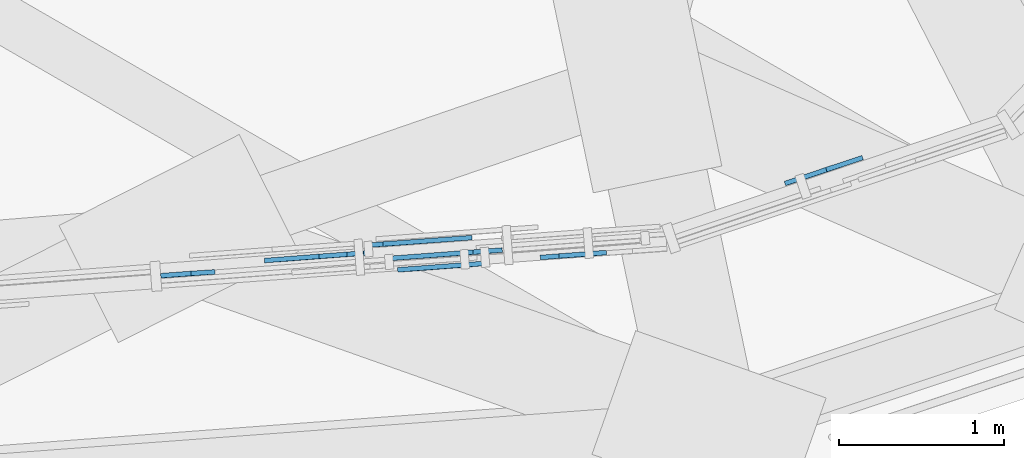
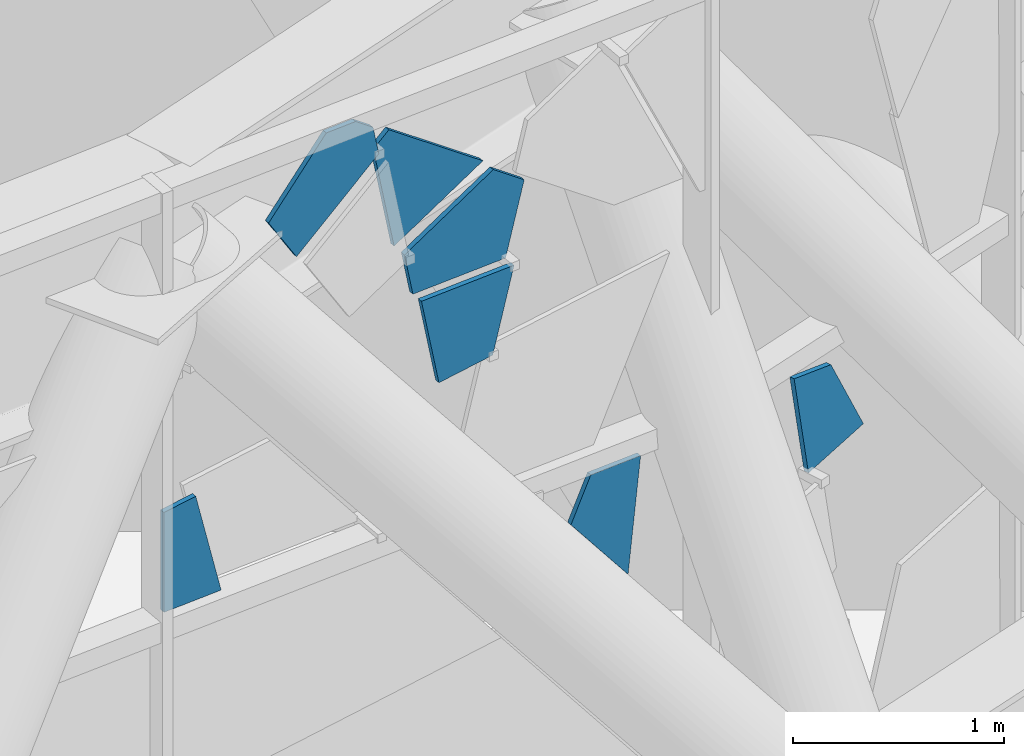
# One storey, part 23 of 43: 7 plates, 2 elements without a shape of their own.
"""IFC4 building model written with IfcOpenShell, lengths in metres."""

from ifc_helpers import new_model, si_unit, direction, frame, origin, place, context, subcontext, project, spatial, polyline, outline, extrude, material, layer, layer_set, type_object, element, aggregate, save


model = new_model("IFC4")

# Units and contexts
model_context = context("Model", 3, precision=1e-05, world=origin(), true_north=direction((0.0, 1.0)))
body_context = subcontext(model_context, "Body", "Model", "MODEL_VIEW")
ifc_project = project(units=[si_unit("LENGTHUNIT", "METRE"), si_unit("AREAUNIT", "SQUARE_METRE"), si_unit("VOLUMEUNIT", "CUBIC_METRE"), si_unit("PLANEANGLEUNIT", "RADIAN"), si_unit("MASSUNIT", "GRAM", prefix="KILO")], contexts=[model_context])

# Site, building, storey
site_placement = place(None, origin())
site = spatial("IfcSite", under=ifc_project, at=site_placement, CompositionType="ELEMENT")
building_placement = place(site_placement, origin())
building = spatial("IfcBuilding", under=site, at=building_placement, Name="Mestral Congress Tower", CompositionType="ELEMENT")
storey_placement = place(building_placement, frame((0.0, 0.0, 78.300048828125)))
storey = spatial("IfcBuildingStorey", under=building, at=storey_placement, Name="L18", CompositionType="ELEMENT", Elevation=78.300048828125)

# Curtain wall, plates
ifc_material_1 = material(Name="Clear low-emissivity double glazing", Category="glass")
curtain_wall_type = type_object("IfcCurtainWallType", Name="Facade refuge band screen", PredefinedType="USERDEFINED", material=ifc_material_1)
placement = place(storey_placement, origin())
curtain_wall_1 = element("IfcCurtainWall", 1, at=placement, inside=storey, type_object=curtain_wall_type, Name="Facade refuge band screen face 1", ObjectType="CURTAIN WALL", PredefinedType="USERDEFINED")
ifc_material_2 = material(Name="Anodised aluminium", Category="aluminium")
ifc_layer_1 = layer(ifc_material_2, 0.028076171875)
ifc_layer_set_1 = layer_set([ifc_layer_1], Name="Anodised aluminium")
plate_type_1 = type_object("IfcPlateType", Name="Facade refuge band screen brace cover panel", PredefinedType="CURTAIN_PANEL", material=ifc_layer_set_1)
plate_1_placement = place(storey_placement, frame((27.416748046875, -20.760986328125, 3.93798828125), z_axis=(0.073921337113, -0.997261110414, 0.002431784533), x_axis=(-0.252241215506, -0.021056272859, -0.967435270482)))
plate_1 = element("IfcPlate", 2, at=plate_1_placement, type_object=plate_type_1, Name="Facade refuge band screen brace cover panel", PredefinedType="CURTAIN_PANEL", context=body_context, shape_type="SweptSolid", body=[
    extrude(outline(polyline([(0.0, 0.0), (0.4878091586712817, -1.3877787807814457e-17), (0.603091151123307, -0.2891969974101254), (0.1346460501039119, -0.5146497387340568), (0.0, 0.0)])), origin(), (0.0, 0.0, -1.0), 0.028076171875),
])
plate_2_placement = place(storey_placement, frame((25.636962890625, -20.822265625, 3.259765625), z_axis=(0.073536460227, -0.99729053065, 0.001996620289), x_axis=(0.234220703217, 0.015324442496, -0.972062664465)))
plate_2 = element("IfcPlate", 3, at=plate_2_placement, type_object=plate_type_1, Name="Facade refuge band screen brace cover panel", PredefinedType="CURTAIN_PANEL", context=body_context, shape_type="SweptSolid", body=[
    extrude(outline(polyline([(0.0, 0.0), (0.6170933291387254, 0.0), (0.5401551842619452, -0.3186394860501105), (-0.020850557091185665, -0.18308741870249653), (0.0, 0.0)])), origin(), (0.0, 0.0, -1.0), 0.028076171875),
])
plate_3_placement = place(storey_placement, frame((27.518310546875, -20.6806640625, 4.34814453125), z_axis=(0.073823922803, -0.997269691574, 0.001786250192), x_axis=(-0.252211633487, -0.020403079074, -0.967456979043)))
plate_3 = element("IfcPlate", 4, at=plate_3_placement, type_object=plate_type_1, Name="Facade refuge band screen brace cover panel", PredefinedType="CURTAIN_PANEL", context=body_context, shape_type="SweptSolid", body=[
    extrude(outline(polyline([(0.0, 0.0), (0.42395276563143663, -1.3877787807814457e-17), (0.5585574471005645, -0.5146605592405799), (0.33307819887656254, -0.6232008514702524), (-0.07987185111774181, -0.20406317391640275), (0.0, 0.0)])), origin(), (0.0, 0.0, -1.0), 0.028076171875),
])
plate_4_placement = place(storey_placement, frame((26.70849609375, -20.6513671875, 4.791259765625), z_axis=(0.073500566415, -0.99729373418, 0.001695435662), x_axis=(0.753765195699, 0.056665515978, 0.654696150174)))
plate_4 = element("IfcPlate", 5, at=plate_4_placement, type_object=plate_type_1, Name="Facade refuge band screen brace cover panel", PredefinedType="CURTAIN_PANEL", context=body_context, shape_type="SweptSolid", body=[
    extrude(outline(polyline([(0.0, 0.0), (0.11821116820470959, -6.938893903907228e-18), (0.26926703212218006, -0.6488998514359334), (-0.30833977833720766, -0.5368468887158634), (0.0, 0.0)])), origin(), (0.0, 0.0, -1.0), 0.028076171875),
])
plate_5_placement = place(storey_placement, frame((26.41162109375, -20.718994140625, 5.030029296875), z_axis=(0.073876255211, -0.997265009852, 0.002190671146), x_axis=(0.997267402839, 0.073876432201, -1.27544e-07)))
plate_5 = element("IfcPlate", 6, at=plate_5_placement, type_object=plate_type_1, Name="Facade refuge band screen brace cover panel", PredefinedType="CURTAIN_PANEL", context=body_context, shape_type="SweptSolid", body=[
    extrude(outline(polyline([(0.0, 0.0), (0.16867308071248016, 0.0), (0.2685333236080565, -0.0727543718773313), (0.3010776447011675, -0.23877004906022156), (-0.17172093352067053, -0.6484392039028978), (-0.3312953469041762, -0.39062611644197914), (0.0, 0.0)])), origin(), (0.0, 0.0, -1.0), 0.028076171875),
])

# Curtain wall, plate
curtain_wall_2 = element("IfcCurtainWall", 7, at=placement, inside=storey, type_object=curtain_wall_type, Name="Facade refuge band screen corner 1", ObjectType="CURTAIN WALL", PredefinedType="USERDEFINED")
plate_6_placement = place(storey_placement, frame((29.2294921875, -20.2783203125, 2.35205078125), z_axis=(0.318395324646, -0.947956434663, 0.001736439953), x_axis=(0.927464061175, 0.311132563849, -0.207381153775)))
plate_6 = element("IfcPlate", 8, at=plate_6_placement, type_object=plate_type_1, Name="Facade refuge band screen brace cover panel", PredefinedType="CURTAIN_PANEL", context=body_context, shape_type="SweptSolid", body=[
    extrude(outline(polyline([(0.0, 0.0), (0.26959059688036924, 0.0), (0.5926400718890346, -0.4051941845769514), (0.22356032149997718, -0.5642947949905839), (0.0, 0.0)])), origin(), (0.0, 0.0, -1.0), 0.028076171875),
])
aggregate(curtain_wall_2, [plate_6])

# Plate
ifc_layer_2 = layer(ifc_material_1, 0.028076171875)
ifc_layer_set_2 = layer_set([ifc_layer_2], Name="Clear low-emissivity double glazing")
plate_type_2 = type_object("IfcPlateType", Name="Facade refuge band screen panel", PredefinedType="CURTAIN_PANEL", material=ifc_layer_set_2)
plate_7_placement = place(storey_placement, frame((27.748291015625, -20.725830078125, 2.29638671875), z_axis=(0.073780799999, -0.997272402255, 0.002036971421), x_axis=(0.422137602764, 0.033081231708, 0.905927964267)))
plate_7 = element("IfcPlate", 9, at=plate_7_placement, type_object=plate_type_2, Name="Refuge screen glass unit", PredefinedType="CURTAIN_PANEL", context=body_context, shape_type="SweptSolid", body=[
    extrude(outline(polyline([(0.0, 0.0), (0.2689536374993015, 0.0), (0.3902295118061887, -0.2594721139754179), (-0.23764885109342304, -0.47231332340774324), (0.0, 0.0)])), origin(), (0.0, 0.0, -1.0), 0.028076171875),
])

aggregate(curtain_wall_1, [plate_7, plate_1, plate_2, plate_3, plate_4, plate_5])

save(model, "model.ifc")
